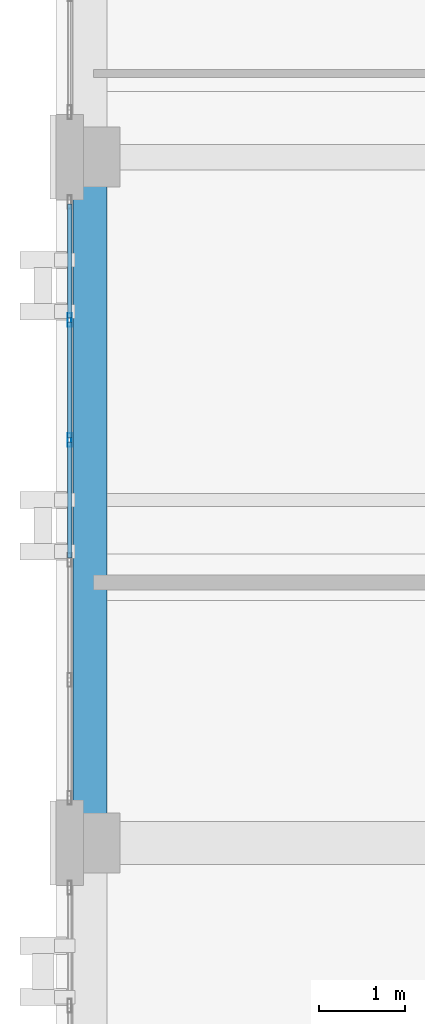
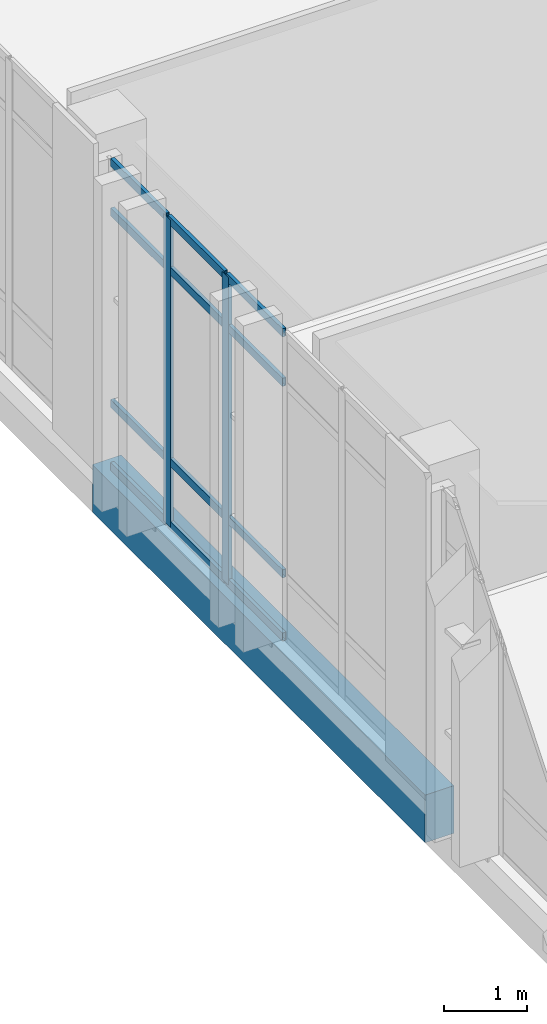
# One storey, part 27 of 189: 14 members, 1 beam, 1 element without a shape of its own.
"""IFC4 building model written with IfcOpenShell, lengths in metres."""

from ifc_helpers import new_model, si_unit, direction, frame, origin, origin_2d, place, context, subcontext, project, spatial, rectangle, hollow_rectangle, extrude, material, layer, layer_set, material_profile, profile_set, type_object, element, aggregate, save


model = new_model("IFC4")

# Units and contexts
model_context = context("Model", 3, precision=1e-05, world=origin(), true_north=direction((0.0, 1.0)))
body_context = subcontext(model_context, "Body", "Model", "MODEL_VIEW")
ifc_project = project(units=[si_unit("LENGTHUNIT", "METRE"), si_unit("AREAUNIT", "SQUARE_METRE"), si_unit("VOLUMEUNIT", "CUBIC_METRE"), si_unit("PLANEANGLEUNIT", "RADIAN"), si_unit("MASSUNIT", "GRAM", prefix="KILO")], contexts=[model_context])

# Site, building, storey
site_placement = place(None, origin())
site = spatial("IfcSite", under=ifc_project, at=site_placement, CompositionType="ELEMENT")
building_placement = place(site_placement, origin())
building = spatial("IfcBuilding", under=site, at=building_placement, Name="Qalavern Law Courts", CompositionType="ELEMENT")
storey_placement = place(building_placement, frame((0.0, 0.0, 5.39990234375)))
storey = spatial("IfcBuildingStorey", under=building, at=storey_placement, Name="L01", CompositionType="ELEMENT", Elevation=5.39990234375)

# Curtain wall, members
ifc_material_1 = material(Name="Anodised aluminium and insulated glazing", Category="aluminium")
ifc_layer = layer(ifc_material_1, 0.172119140625)
ifc_layer_set = layer_set([ifc_layer], Name="Anodised aluminium and insulated glazing")
curtain_wall_type = type_object("IfcCurtainWallType", Name="ENV-CW-COURT", PredefinedType="USERDEFINED", material=ifc_layer_set)
curtain_wall_placement = place(storey_placement, origin())
curtain_wall = element("IfcCurtainWall", 1, at=curtain_wall_placement, inside=storey, type_object=curtain_wall_type, Name="V3 unitised curtain wall L01 west 5", ObjectType="UNITISED CURTAIN WALL", PredefinedType="USERDEFINED")
ifc_material_2 = material(Name="Anodised aluminium", Category="aluminium")
ifc_material_profile_1 = material_profile(ifc_material_2, hollow_rectangle(XDim=0.048095703125, YDim=0.159912109375, WallThickness=0.00390625, at=origin_2d()), Name="ALU MULLION 48x160")
ifc_profile_set_1 = profile_set([ifc_material_profile_1], Name="Anodised aluminium")
member_type_1 = type_object("IfcMemberType", Name="ENV-CWM-48x160", PredefinedType="MULLION", material=ifc_profile_set_1)
member_1_placement = place(storey_placement, frame((2.16259765625, 63.5, 0.0), z_axis=(0.0, 0.0, 1.0), x_axis=(1.0, 0.0, 0.0)))
member_1 = element("IfcMember", 2, at=member_1_placement, type_object=member_type_1, Name="CW-03 mullion 2", PredefinedType="MULLION", context=body_context, shape_type="SweptSolid", body=[
    extrude(hollow_rectangle(XDim=0.048095703125, YDim=0.159912109375, WallThickness=0.00390625, at=origin_2d()), origin(), (0.0, 0.0, 1.0), 4.510009765625),
])
member_2_placement = place(storey_placement, frame((2.16259765625, 62.10009765625, 0.0), z_axis=(0.0, 0.0, 1.0), x_axis=(1.0, 0.0, 0.0)))
member_2 = element("IfcMember", 3, at=member_2_placement, type_object=member_type_1, Name="CW-03 mullion 3", PredefinedType="MULLION", context=body_context, shape_type="SweptSolid", body=[
    extrude(hollow_rectangle(XDim=0.048095703125, YDim=0.159912109375, WallThickness=0.00390625, at=origin_2d()), origin(), (0.0, 0.0, 1.0), 4.510009765625),
])
ifc_material_profile_2 = material_profile(ifc_material_2, hollow_rectangle(XDim=0.048095703125, YDim=0.1201171875, WallThickness=0.00390625, at=origin_2d()), Name="ALU TRANSOM 48x120")
ifc_profile_set_2 = profile_set([ifc_material_profile_2], Name="Anodised aluminium")
member_type_2 = type_object("IfcMemberType", Name="ENV-CWT-48x120", PredefinedType="USERDEFINED", material=ifc_profile_set_2)
member_3_placement = place(storey_placement, frame((2.16259765625, 64.85205078125, 0.024169921875), z_axis=(0.0, -1.0, 0.0), x_axis=(1.0, 0.0, 0.0)))
member_3 = element("IfcMember", 4, at=member_3_placement, type_object=member_type_2, Name="CW-03 transom 1.1", ObjectType="TRANSOM", PredefinedType="USERDEFINED", context=body_context, shape_type="SweptSolid", body=[
    extrude(hollow_rectangle(XDim=0.048095703125, YDim=0.1201171875, WallThickness=0.00390625, at=origin_2d()), origin(), (0.0, 0.0, 1.0), 1.328125),
])
member_4_placement = place(storey_placement, frame((2.16259765625, 64.85205078125, 0.9501953125), z_axis=(0.0, -1.0, 0.0), x_axis=(1.0, 0.0, 0.0)))
member_4 = element("IfcMember", 5, at=member_4_placement, type_object=member_type_2, Name="CW-03 transom 1.2", ObjectType="TRANSOM", PredefinedType="USERDEFINED", context=body_context, shape_type="SweptSolid", body=[
    extrude(hollow_rectangle(XDim=0.048095703125, YDim=0.1201171875, WallThickness=0.00390625, at=origin_2d()), origin(), (0.0, 0.0, 1.0), 1.328125),
])
member_5_placement = place(storey_placement, frame((2.16259765625, 64.85205078125, 3.760009765625), z_axis=(0.0, -1.0, 0.0), x_axis=(1.0, 0.0, 0.0)))
member_5 = element("IfcMember", 6, at=member_5_placement, type_object=member_type_2, Name="CW-03 transom 1.3", ObjectType="TRANSOM", PredefinedType="USERDEFINED", context=body_context, shape_type="SweptSolid", body=[
    extrude(hollow_rectangle(XDim=0.048095703125, YDim=0.1201171875, WallThickness=0.00390625, at=origin_2d()), origin(), (0.0, 0.0, 1.0), 1.328125),
])
member_6_placement = place(storey_placement, frame((2.16259765625, 64.85205078125, 4.486083984375), z_axis=(0.0, -1.0, 0.0), x_axis=(1.0, 0.0, 0.0)))
member_6 = element("IfcMember", 7, at=member_6_placement, type_object=member_type_2, Name="CW-03 transom 1.4", ObjectType="TRANSOM", PredefinedType="USERDEFINED", context=body_context, shape_type="SweptSolid", body=[
    extrude(hollow_rectangle(XDim=0.048095703125, YDim=0.1201171875, WallThickness=0.00390625, at=origin_2d()), origin(), (0.0, 0.0, 1.0), 1.328125),
])
member_7_placement = place(storey_placement, frame((2.16259765625, 63.47607421875, 0.024169921875), z_axis=(0.0, -1.0, 0.0), x_axis=(1.0, 0.0, 0.0)))
member_7 = element("IfcMember", 8, at=member_7_placement, type_object=member_type_2, Name="CW-03 transom 2.1", ObjectType="TRANSOM", PredefinedType="USERDEFINED", context=body_context, shape_type="SweptSolid", body=[
    extrude(hollow_rectangle(XDim=0.048095703125, YDim=0.1201171875, WallThickness=0.00390625, at=origin_2d()), origin(), (0.0, 0.0, 1.0), 1.35205078125),
])
member_8_placement = place(storey_placement, frame((2.16259765625, 63.47607421875, 0.9501953125), z_axis=(0.0, -1.0, 0.0), x_axis=(1.0, 0.0, 0.0)))
member_8 = element("IfcMember", 9, at=member_8_placement, type_object=member_type_2, Name="CW-03 transom 2.2", ObjectType="TRANSOM", PredefinedType="USERDEFINED", context=body_context, shape_type="SweptSolid", body=[
    extrude(hollow_rectangle(XDim=0.048095703125, YDim=0.1201171875, WallThickness=0.00390625, at=origin_2d()), origin(), (0.0, 0.0, 1.0), 1.35205078125),
])
member_9_placement = place(storey_placement, frame((2.16259765625, 63.47607421875, 3.760009765625), z_axis=(0.0, -1.0, 0.0), x_axis=(1.0, 0.0, 0.0)))
member_9 = element("IfcMember", 10, at=member_9_placement, type_object=member_type_2, Name="CW-03 transom 2.3", ObjectType="TRANSOM", PredefinedType="USERDEFINED", context=body_context, shape_type="SweptSolid", body=[
    extrude(hollow_rectangle(XDim=0.048095703125, YDim=0.1201171875, WallThickness=0.00390625, at=origin_2d()), origin(), (0.0, 0.0, 1.0), 1.35205078125),
])
member_10_placement = place(storey_placement, frame((2.16259765625, 63.47607421875, 4.486083984375), z_axis=(0.0, -1.0, 0.0), x_axis=(1.0, 0.0, 0.0)))
member_10 = element("IfcMember", 11, at=member_10_placement, type_object=member_type_2, Name="CW-03 transom 2.4", ObjectType="TRANSOM", PredefinedType="USERDEFINED", context=body_context, shape_type="SweptSolid", body=[
    extrude(hollow_rectangle(XDim=0.048095703125, YDim=0.1201171875, WallThickness=0.00390625, at=origin_2d()), origin(), (0.0, 0.0, 1.0), 1.35205078125),
])
member_11_placement = place(storey_placement, frame((2.16259765625, 62.075927734375, 0.024169921875), z_axis=(0.0, -1.0, 0.0), x_axis=(1.0, 0.0, 0.0)))
member_11 = element("IfcMember", 12, at=member_11_placement, type_object=member_type_2, Name="CW-03 transom 3.1", ObjectType="TRANSOM", PredefinedType="USERDEFINED", context=body_context, shape_type="SweptSolid", body=[
    extrude(hollow_rectangle(XDim=0.048095703125, YDim=0.1201171875, WallThickness=0.00390625, at=origin_2d()), origin(), (0.0, 0.0, 1.0), 1.351806640625),
])
member_12_placement = place(storey_placement, frame((2.16259765625, 62.075927734375, 0.9501953125), z_axis=(0.0, -1.0, 0.0), x_axis=(1.0, 0.0, 0.0)))
member_12 = element("IfcMember", 13, at=member_12_placement, type_object=member_type_2, Name="CW-03 transom 3.2", ObjectType="TRANSOM", PredefinedType="USERDEFINED", context=body_context, shape_type="SweptSolid", body=[
    extrude(hollow_rectangle(XDim=0.048095703125, YDim=0.1201171875, WallThickness=0.00390625, at=origin_2d()), origin(), (0.0, 0.0, 1.0), 1.351806640625),
])
member_13_placement = place(storey_placement, frame((2.16259765625, 62.075927734375, 3.760009765625), z_axis=(0.0, -1.0, 0.0), x_axis=(1.0, 0.0, 0.0)))
member_13 = element("IfcMember", 14, at=member_13_placement, type_object=member_type_2, Name="CW-03 transom 3.3", ObjectType="TRANSOM", PredefinedType="USERDEFINED", context=body_context, shape_type="SweptSolid", body=[
    extrude(hollow_rectangle(XDim=0.048095703125, YDim=0.1201171875, WallThickness=0.00390625, at=origin_2d()), origin(), (0.0, 0.0, 1.0), 1.351806640625),
])
member_14_placement = place(storey_placement, frame((2.16259765625, 62.075927734375, 4.486083984375), z_axis=(0.0, -1.0, 0.0), x_axis=(1.0, 0.0, 0.0)))
member_14 = element("IfcMember", 15, at=member_14_placement, type_object=member_type_2, Name="CW-03 transom 3.4", ObjectType="TRANSOM", PredefinedType="USERDEFINED", context=body_context, shape_type="SweptSolid", body=[
    extrude(hollow_rectangle(XDim=0.048095703125, YDim=0.1201171875, WallThickness=0.00390625, at=origin_2d()), origin(), (0.0, 0.0, 1.0), 1.351806640625),
])
aggregate(curtain_wall, [member_1, member_2, member_3, member_4, member_5, member_6, member_7, member_8, member_9, member_10, member_11, member_12, member_13, member_14])

# Beam
ifc_material_3 = material(Name="Concrete C40/50", Category="concrete")
ifc_material_profile_3 = material_profile(ifc_material_3, rectangle(XDim=0.39990234375, YDim=0.699951171875, at=origin_2d()), Name="RC 400x700")
ifc_profile_set_3 = profile_set([ifc_material_profile_3], Name="Concrete C40/50")
beam_type = type_object("IfcBeamType", Name="STR-SP-RC400x700", PredefinedType="SPANDREL", material=ifc_profile_set_3)
beam_placement = place(storey_placement, frame((2.39990234375, 57.39990234375, -0.64990234375), z_axis=(0.0, 1.0, 0.0), x_axis=(-1.0, 0.0, 0.0)))
element("IfcBeam", 16, at=beam_placement, inside=storey, type_object=beam_type, Name="V3 Y-beam 1-3 L01", PredefinedType="SPANDREL", context=body_context, shape_type="SweptSolid", body=[
    extrude(rectangle(XDim=0.39990234375, YDim=0.699951171875, at=origin_2d()), origin(), (0.0, 0.0, 1.0), 8.0),
])

save(model, "model.ifc")
